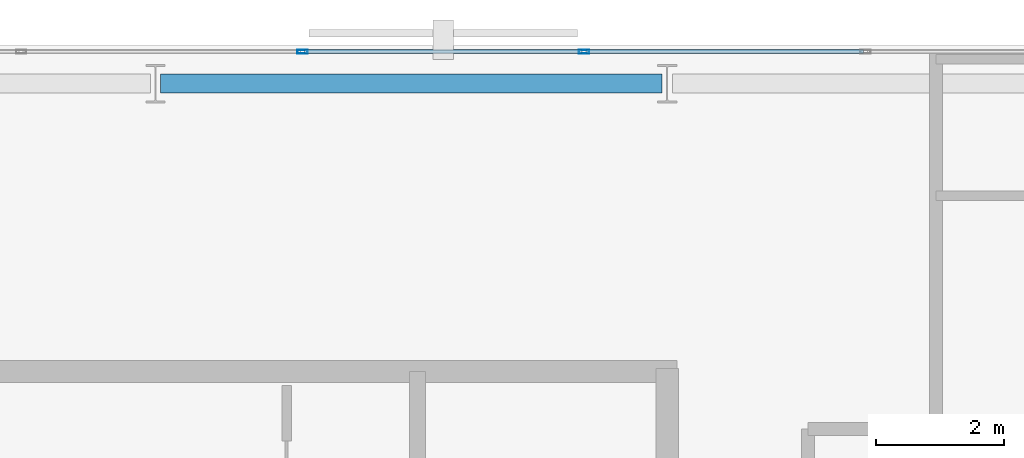
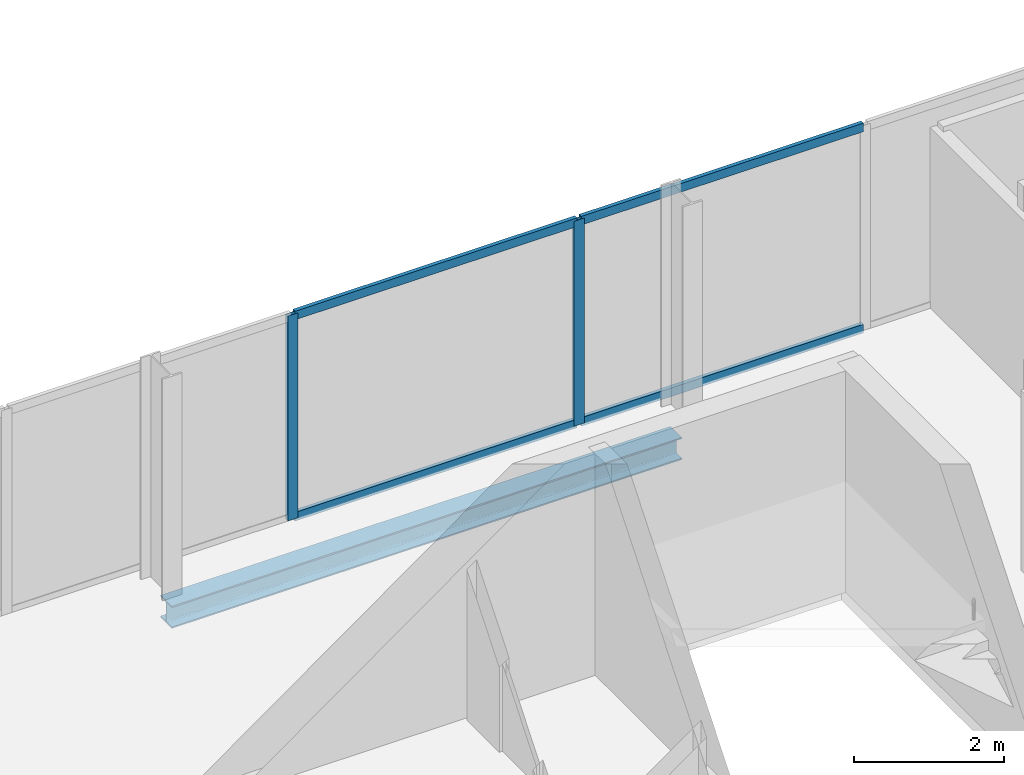
# One storey, part 24 of 32: 6 members, 1 beam, 1 element without a shape of its own.
"""IFC4 building model written with IfcOpenShell, lengths in metres."""

from ifc_helpers import new_model, si_unit, direction, frame, origin, origin_2d, place, context, subcontext, project, spatial, hollow_rectangle, i_section, extrude, material, layer, layer_set, material_profile, profile_set, type_object, element, aggregate, save


model = new_model("IFC4")

# Units and contexts
model_context = context("Model", 3, precision=1e-05, world=origin(), true_north=direction((0.0, 1.0)))
body_context = subcontext(model_context, "Body", "Model", "MODEL_VIEW")
ifc_project = project(units=[si_unit("LENGTHUNIT", "METRE"), si_unit("AREAUNIT", "SQUARE_METRE"), si_unit("VOLUMEUNIT", "CUBIC_METRE"), si_unit("PLANEANGLEUNIT", "RADIAN"), si_unit("MASSUNIT", "GRAM", prefix="KILO")], contexts=[model_context])

# Site, building, storey
site_placement = place(None, origin())
site = spatial("IfcSite", under=ifc_project, at=site_placement, CompositionType="ELEMENT")
building_placement = place(site_placement, origin())
building = spatial("IfcBuilding", under=site, at=building_placement, Name="Catumbela Crestline Tower", CompositionType="ELEMENT")
storey_placement = place(building_placement, frame((0.0, 0.0, 133.2)))
storey = spatial("IfcBuildingStorey", under=building, at=storey_placement, Name="L34", CompositionType="ELEMENT", Elevation=133.2)

# Curtain wall, members
ifc_material_1 = material(Name="Aluminium alloy AW-6060-T66", Category="aluminium")
ifc_layer = layer(ifc_material_1, 0.18, Name="Aluminium alloy AW-6060-T66")
ifc_layer_set = layer_set([ifc_layer], Name="Aluminium alloy AW-6060-T66")
curtain_wall_type = type_object("IfcCurtainWallType", Name="CWU-Z2", PredefinedType="USERDEFINED", material=ifc_layer_set)
curtain_wall_placement = place(storey_placement, origin())
curtain_wall = element("IfcCurtainWall", 1, at=curtain_wall_placement, inside=storey, type_object=curtain_wall_type, Name="L34 Unitised Curtain Wall CW-L34-E7S1", ObjectType="UNITISED", PredefinedType="USERDEFINED")
ifc_material_profile_1 = material_profile(ifc_material_1, hollow_rectangle(XDim=0.06, YDim=0.16, WallThickness=0.004, at=origin_2d()), Name="ALU 160x60x4")
ifc_profile_set_1 = profile_set([ifc_material_profile_1], Name="Aluminium alloy AW-6060-T66")
member_type_1 = type_object("IfcMemberType", Name="MUL-160X60", PredefinedType="MULLION", material=ifc_profile_set_1)
member_1_placement = place(storey_placement, frame((38.7, 47.9, 0.0), z_axis=(0.0, 0.0, 1.0), x_axis=(0.0, -1.0, 0.0)))
member_1 = element("IfcMember", 2, at=member_1_placement, type_object=member_type_1, Name="CWU-Z2 mullion 3", PredefinedType="MULLION", context=body_context, shape_type="SweptSolid", body=[
    extrude(hollow_rectangle(XDim=0.06, YDim=0.16, WallThickness=0.004, at=origin_2d()), origin(), (0.0, 0.0, 1.0), 3.33),
])
member_2_placement = place(storey_placement, frame((34.3, 47.9, 0.0), z_axis=(0.0, 0.0, 1.0), x_axis=(0.0, -1.0, 0.0)))
member_2 = element("IfcMember", 3, at=member_2_placement, type_object=member_type_1, Name="CWU-Z2 mullion 4", PredefinedType="MULLION", context=body_context, shape_type="SweptSolid", body=[
    extrude(hollow_rectangle(XDim=0.06, YDim=0.16, WallThickness=0.004, at=origin_2d()), origin(), (0.0, 0.0, 1.0), 3.33),
])

# Beam
ifc_material_2 = material(Name="Structural steel S355J2", Category="steel")
ifc_material_profile_2 = material_profile(ifc_material_2, i_section(OverallWidth=0.3, OverallDepth=0.36, WebThickness=0.0125, FlangeThickness=0.0225, FilletRadius=0.027, at=origin_2d()), Name="HEB 360")
ifc_profile_set_2 = profile_set([ifc_material_profile_2], Name="Structural steel S355J2")
beam_type = type_object("IfcBeamType", Name="BS-HEB360", PredefinedType="SPANDREL", material=ifc_profile_set_2)
beam_placement = place(storey_placement, frame((32.08, 47.4, -0.44), z_axis=(1.0, 0.0, 0.0), x_axis=(0.0, 1.0, 0.0)))
element("IfcBeam", 4, at=beam_placement, inside=storey, type_object=beam_type, Name="L34 Spandrel SP-L34-NF20", PredefinedType="SPANDREL", context=body_context, shape_type="SweptSolid", body=[
    extrude(i_section(OverallWidth=0.3, OverallDepth=0.36, WebThickness=0.0125, FlangeThickness=0.0225, FilletRadius=0.027, at=origin_2d()), origin(), (0.0, 0.0, 1.0), 7.84),
])

# Member
ifc_material_profile_3 = material_profile(ifc_material_1, hollow_rectangle(XDim=0.06, YDim=0.14, WallThickness=0.004, at=origin_2d()), Name="ALU 140x60x4")
ifc_profile_set_3 = profile_set([ifc_material_profile_3], Name="Aluminium alloy AW-6060-T66")
member_type_2 = type_object("IfcMemberType", Name="TRN-140X60", PredefinedType="USERDEFINED", material=ifc_profile_set_3)
member_3_placement = place(storey_placement, frame((43.0675, 47.9, 0.03), z_axis=(-1.0, 0.0, 0.0), x_axis=(0.0, -1.0, 0.0)))
member_3 = element("IfcMember", 5, at=member_3_placement, type_object=member_type_2, Name="CWU-Z2 transom 2.1", ObjectType="TRANSOM", PredefinedType="USERDEFINED", context=body_context, shape_type="SweptSolid", body=[
    extrude(hollow_rectangle(XDim=0.06, YDim=0.14, WallThickness=0.004, at=origin_2d()), origin(), (0.0, 0.0, 1.0), 4.335),
])

member_4_placement = place(storey_placement, frame((43.0675, 47.9, 3.3), z_axis=(-1.0, 0.0, 0.0), x_axis=(0.0, -1.0, 0.0)))
member_4 = element("IfcMember", 6, at=member_4_placement, type_object=member_type_2, Name="CWU-Z2 transom 2.2", ObjectType="TRANSOM", PredefinedType="USERDEFINED", context=body_context, shape_type="SweptSolid", body=[
    extrude(hollow_rectangle(XDim=0.06, YDim=0.14, WallThickness=0.004, at=origin_2d()), origin(), (0.0, 0.0, 1.0), 4.335),
])

member_5_placement = place(storey_placement, frame((38.6675, 47.9, 0.03), z_axis=(-1.0, 0.0, 0.0), x_axis=(0.0, -1.0, 0.0)))
member_5 = element("IfcMember", 7, at=member_5_placement, type_object=member_type_2, Name="CWU-Z2 transom 3.1", ObjectType="TRANSOM", PredefinedType="USERDEFINED", context=body_context, shape_type="SweptSolid", body=[
    extrude(hollow_rectangle(XDim=0.06, YDim=0.14, WallThickness=0.004, at=origin_2d()), origin(), (0.0, 0.0, 1.0), 4.335),
])

member_6_placement = place(storey_placement, frame((38.6675, 47.9, 3.3), z_axis=(-1.0, 0.0, 0.0), x_axis=(0.0, -1.0, 0.0)))
member_6 = element("IfcMember", 8, at=member_6_placement, type_object=member_type_2, Name="CWU-Z2 transom 3.2", ObjectType="TRANSOM", PredefinedType="USERDEFINED", context=body_context, shape_type="SweptSolid", body=[
    extrude(hollow_rectangle(XDim=0.06, YDim=0.14, WallThickness=0.004, at=origin_2d()), origin(), (0.0, 0.0, 1.0), 4.335),
])

aggregate(curtain_wall, [member_1, member_2, member_3, member_4, member_5, member_6])

save(model, "model.ifc")
